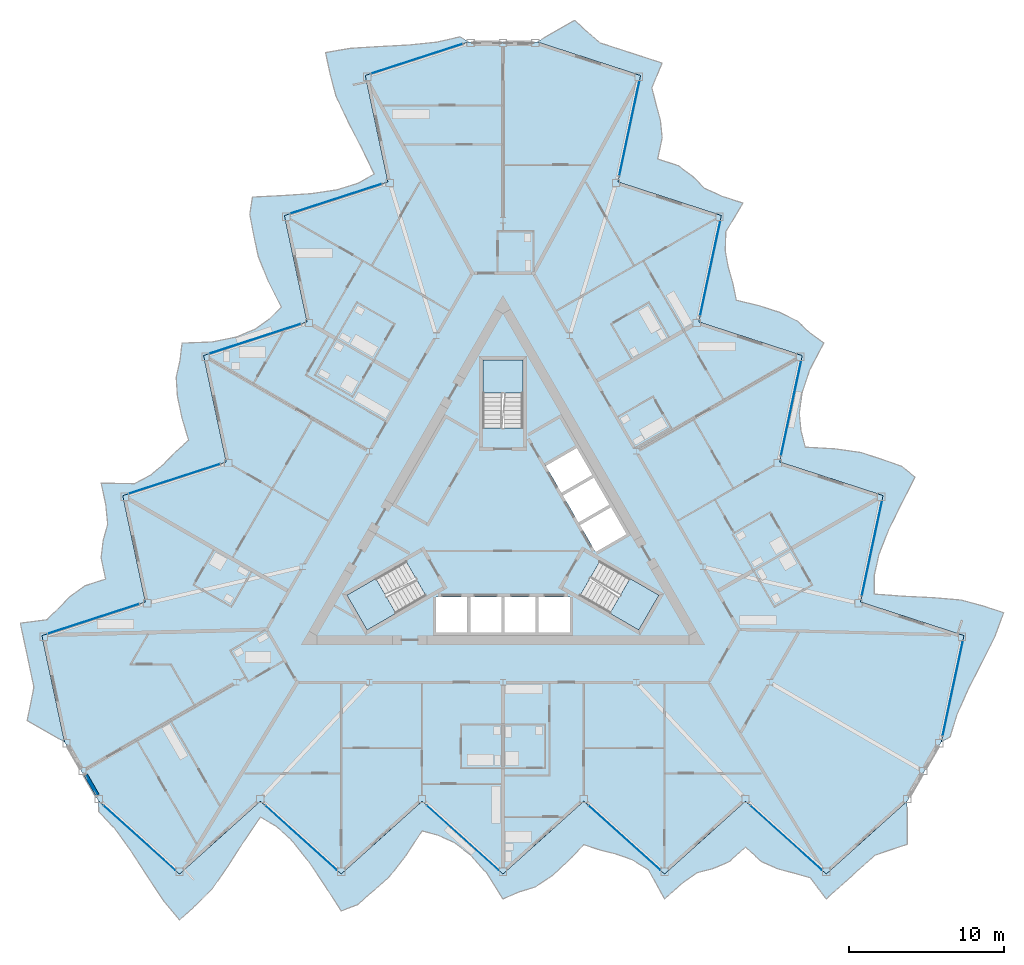
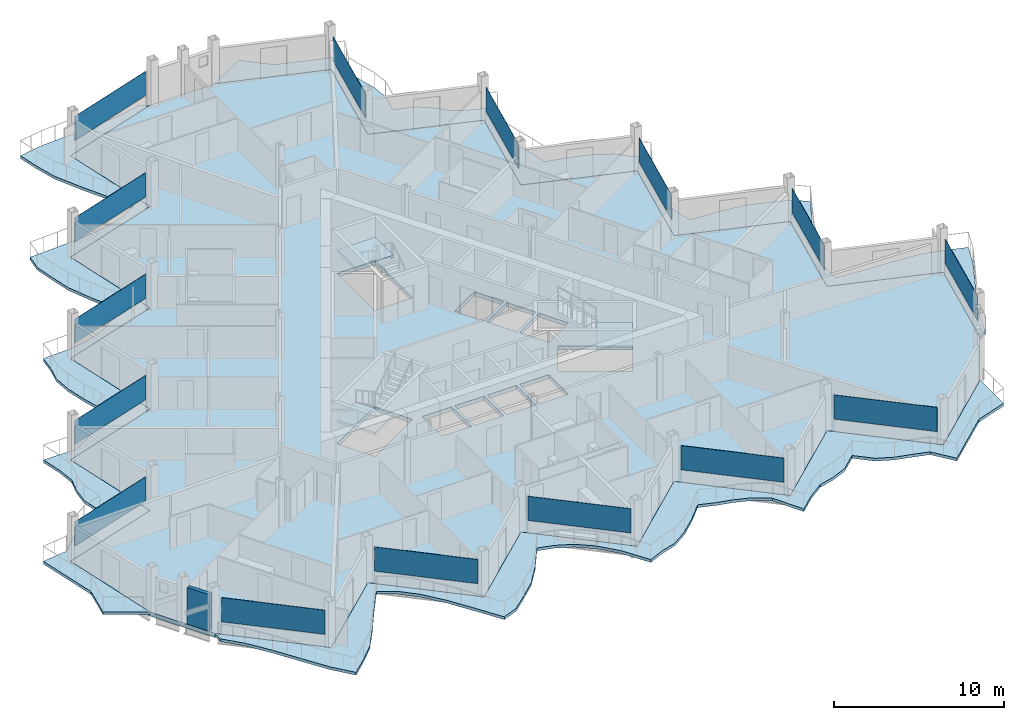
# One storey, part 11 of 26: 15 plates, 7 slabs, 1 wall, 18 elements without a shape of their own.
"""IFC4 building model written with IfcOpenShell, lengths in metres."""

from ifc_helpers import new_model, si_unit, direction, frame, frame_2d, origin, origin_2d, place, context, subcontext, project, spatial, polyline, rectangle, outline, extrude, material, layer, layer_set, type_object, element, aggregate, save


model = new_model("IFC4")

# Units and contexts
model_context = context("Model", 3, precision=1e-05, world=origin(), true_north=direction((0.0, 1.0)))
body_context = subcontext(model_context, "Body", "Model", "MODEL_VIEW")
ifc_project = project(units=[si_unit("LENGTHUNIT", "METRE"), si_unit("AREAUNIT", "SQUARE_METRE"), si_unit("VOLUMEUNIT", "CUBIC_METRE"), si_unit("PLANEANGLEUNIT", "RADIAN"), si_unit("MASSUNIT", "GRAM", prefix="KILO")], contexts=[model_context])

# Site, building, storey
site_placement = place(None, origin())
site = spatial("IfcSite", under=ifc_project, at=site_placement, CompositionType="ELEMENT")
building_placement = place(site_placement, origin())
building = spatial("IfcBuilding", under=site, at=building_placement, Name="Cormorant Prow Tower", CompositionType="ELEMENT")
storey_placement = place(building_placement, frame((0.0, 0.0, 398.39990234375)))
storey = spatial("IfcBuildingStorey", under=building, at=storey_placement, Name="L91", CompositionType="ELEMENT", Elevation=398.39990234375)

# Slabs
ifc_material_1 = material(Name="Concrete C40/50", Category="concrete")
ifc_layer_1 = layer(ifc_material_1, 0.199951171875)
ifc_layer_set_1 = layer_set([ifc_layer_1], Name="Concrete C40/50")
slab_type_1 = type_object("IfcSlabType", Name="Balcony slab 200", PredefinedType="FLOOR", material=ifc_layer_set_1)
slab_1_placement = place(storey_placement, frame((0.0, 0.0, -0.199951171875)))
element("IfcSlab", 1, at=slab_1_placement, inside=storey, type_object=slab_type_1, Name="Balcony slab S L91", PredefinedType="FLOOR", context=body_context, shape_type="SweptSolid", body=[
    extrude(outline(polyline([(-26.0, -17.548828125), (-26.0, -18.198974609375), (-24.9599609375, -19.3193359375), (-23.919921875, -20.753662109375), (-22.8798828125, -22.35546875), (-21.840087890625, -23.928466796875), (-20.800048828125, -25.180908203125), (-19.760009765625, -24.24462890625), (-18.719970703125, -23.2099609375), (-17.679931640625, -21.7099609375), (-16.639892578125, -20.095947265625), (-15.60009765625, -18.56689453125), (-14.56005859375, -19.170654296875), (-13.52001953125, -20.1318359375), (-12.47998046875, -21.443603515625), (-11.43994140625, -22.995361328125), (-10.39990234375, -24.605712890625), (-9.360107421875, -24.203369140625), (-8.320068359375, -23.30810546875), (-7.280029296875, -22.371826171875), (-6.239990234375, -21.042724609375), (-5.199951171875, -19.4541015625), (-4.159912109375, -19.737060546875), (-3.1201171875, -20.210693359375), (-2.080078125, -21.011474609375), (-1.0400390625, -22.179443359375), (0.0, -23.8310546875), (1.0400390625, -23.38330078125), (2.080078125, -23.064453125), (3.1201171875, -22.371826171875), (4.159912109375, -21.435302734375), (5.199951171875, -20.33837890625), (6.239990234375, -20.68505859375), (7.280029296875, -20.943603515625), (8.320068359375, -21.3134765625), (9.360107421875, -21.96142578125), (10.39990234375, -23.8310546875), (11.43994140625, -22.89453125), (12.47998046875, -22.150390625), (13.52001953125, -21.880126953125), (14.56005859375, -21.435302734375), (15.60009765625, -20.498779296875), (16.639892578125, -21.435302734375), (17.679931640625, -21.899169921875), (18.719970703125, -22.17138671875), (19.760009765625, -22.46923828125), (20.800048828125, -23.8310546875), (21.840087890625, -22.89453125), (22.8798828125, -21.958251953125), (23.919921875, -21.021728515625), (24.9599609375, -20.664306640625), (26.0, -20.3232421875), (26.0, -17.548828125), (24.9599609375, -18.4853515625), (23.919921875, -19.421630859375), (22.8798828125, -20.358154296875), (21.840087890625, -21.294677734375), (20.800048828125, -22.23095703125), (19.760009765625, -21.294677734375), (18.719970703125, -20.358154296875), (17.679931640625, -19.421630859375), (16.639892578125, -18.4853515625), (15.60009765625, -17.548828125), (14.56005859375, -18.4853515625), (13.52001953125, -19.421630859375), (12.47998046875, -20.358154296875), (11.43994140625, -21.294677734375), (10.39990234375, -22.23095703125), (9.360107421875, -21.294677734375), (8.320068359375, -20.358154296875), (7.280029296875, -19.421630859375), (6.239990234375, -18.4853515625), (5.199951171875, -17.548828125), (4.159912109375, -18.4853515625), (3.1201171875, -19.421630859375), (2.080078125, -20.358154296875), (1.0400390625, -21.294677734375), (0.0, -22.23095703125), (-1.0400390625, -21.294677734375), (-2.080078125, -20.358154296875), (-3.1201171875, -19.421630859375), (-4.159912109375, -18.4853515625), (-5.199951171875, -17.548828125), (-6.239990234375, -18.4853515625), (-7.280029296875, -19.421630859375), (-8.320068359375, -20.358154296875), (-9.360107421875, -21.294677734375), (-10.39990234375, -22.23095703125), (-11.43994140625, -21.294677734375), (-12.47998046875, -20.358154296875), (-13.52001953125, -19.421630859375), (-14.56005859375, -18.4853515625), (-15.60009765625, -17.548828125), (-16.639892578125, -18.4853515625), (-17.679931640625, -19.421630859375), (-18.719970703125, -20.358154296875), (-19.760009765625, -21.294677734375), (-20.800048828125, -22.23095703125), (-21.840087890625, -21.294677734375), (-22.8798828125, -20.358154296875), (-23.919921875, -19.421630859375), (-24.9599609375, -18.4853515625), (-26.0, -17.548828125)])), origin(), (0.0, 0.0, 1.0), 0.199951171875),
])
slab_2_placement = place(storey_placement, frame((0.0, 0.0, -0.199951171875)))
element("IfcSlab", 2, at=slab_2_placement, inside=storey, type_object=slab_type_1, Name="Balcony slab ENE L91", PredefinedType="FLOOR", context=body_context, shape_type="SweptSolid", body=[
    extrude(outline(polyline([(28.19775390625, -13.7421875), (28.7607421875, -13.417236328125), (29.211181640625, -11.956298828125), (29.933349609375, -10.33837890625), (30.80029296875, -8.636962890625), (31.642578125, -6.94970703125), (32.207275390625, -5.4228515625), (30.87646484375, -4.990478515625), (29.46044921875, -4.607177734375), (27.641357421875, -4.456298828125), (25.723388671875, -4.36279296875), (23.87939453125, -4.2265625), (23.882080078125, -3.024169921875), (24.19482421875, -1.642578125), (24.810791015625, -0.086181640625), (25.634521484375, 1.59033203125), (26.509033203125, 3.296142578125), (25.640625, 3.99560546875), (24.345458984375, 4.44873046875), (23.014404296875, 4.881103515625), (21.343505859375, 5.117431640625), (19.44775390625, 5.223876953125), (19.172607421875, 6.265869140625), (19.06298828125, 7.4033203125), (19.236572265625, 8.704345703125), (19.72802734375, 10.189208984375), (20.63818359375, 11.91552734375), (19.73046875, 12.59228515625), (18.934326171875, 13.33349609375), (17.814453125, 13.887939453125), (16.483642578125, 14.3203125), (15.013671875, 14.672607421875), (14.7939453125, 15.74658203125), (14.49755859375, 16.7763671875), (14.2978515625, 17.862060546875), (14.339111328125, 19.086669921875), (15.438232421875, 20.922119140625), (14.107177734375, 21.354736328125), (12.942626953125, 21.883056640625), (12.188720703125, 22.648681640625), (11.283447265625, 23.326904296875), (9.95263671875, 23.759521484375), (10.243408203125, 25.12841796875), (10.125244140625, 26.260986328125), (9.841064453125, 27.2978515625), (9.5791015625, 28.347412109375), (10.23828125, 29.9287109375), (8.9072265625, 30.361328125), (7.576416015625, 30.793701171875), (6.245361328125, 31.22607421875), (5.416015625, 31.9482421875), (4.6005859375, 32.67822265625), (2.19775390625, 31.291015625), (3.52880859375, 30.858642578125), (4.859619140625, 30.42626953125), (6.190673828125, 29.99365234375), (7.521728515625, 29.561279296875), (8.8525390625, 29.12890625), (8.5615234375, 27.760009765625), (8.270751953125, 26.39111328125), (7.979736328125, 25.022216796875), (7.688720703125, 23.6533203125), (7.397705078125, 22.284423828125), (8.728759765625, 21.85205078125), (10.059814453125, 21.41943359375), (11.390625, 20.987060546875), (12.7216796875, 20.5546875), (14.052490234375, 20.1220703125), (13.76171875, 18.753173828125), (13.470703125, 17.384521484375), (13.1796875, 16.015625), (12.888671875, 14.646728515625), (12.597900390625, 13.27783203125), (13.9287109375, 12.84521484375), (15.259765625, 12.412841796875), (16.590576171875, 11.98046875), (17.921630859375, 11.5478515625), (19.252685546875, 11.115478515625), (18.961669921875, 9.74658203125), (18.670654296875, 8.377685546875), (18.379638671875, 7.0087890625), (18.0888671875, 5.639892578125), (17.7978515625, 4.27099609375), (19.128662109375, 3.838623046875), (20.459716796875, 3.40625), (21.790771484375, 2.9736328125), (23.12158203125, 2.541259765625), (24.45263671875, 2.10888671875), (24.16162109375, 0.739990234375), (23.87060546875, -0.62890625), (23.579833984375, -1.997802734375), (23.288818359375, -3.36669921875), (22.997802734375, -4.735595703125), (24.328857421875, -5.16796875), (25.65966796875, -5.600341796875), (26.99072265625, -6.032958984375), (28.321533203125, -6.46533203125), (29.652587890625, -6.89794921875), (29.361572265625, -8.2666015625), (29.070556640625, -9.635498046875), (28.77978515625, -11.00439453125), (28.48876953125, -12.373291015625), (28.19775390625, -13.7421875)])), origin(), (0.0, 0.0, 1.0), 0.199951171875),
])
slab_3_placement = place(storey_placement, frame((0.0, 0.0, -0.199951171875)))
element("IfcSlab", 3, at=slab_3_placement, inside=storey, type_object=slab_type_1, Name="Balcony slab WNW L91", PredefinedType="FLOOR", context=body_context, shape_type="SweptSolid", body=[
    extrude(outline(polyline([(-2.19775390625, 31.291015625), (-2.7607421875, 31.6162109375), (-4.2509765625, 31.275634765625), (-6.01318359375, 31.09228515625), (-7.92041015625, 30.992431640625), (-9.802734375, 30.878173828125), (-11.407470703125, 30.603759765625), (-11.116455078125, 29.23486328125), (-10.740234375, 27.81689453125), (-9.96142578125, 26.166259765625), (-9.08349609375, 24.45849609375), (-8.279296875, 22.79345703125), (-9.322265625, 22.194580078125), (-10.6748046875, 21.774658203125), (-12.330810546875, 21.52978515625), (-14.194580078125, 21.405029296875), (-16.109130859375, 21.3095703125), (-16.28076171875, 20.207763671875), (-16.025390625, 18.859375), (-15.734375, 17.490478515625), (-15.103515625, 15.92529296875), (-14.247802734375, 14.23046875), (-15.0126953125, 13.47119140625), (-15.94287109375, 12.807373046875), (-17.156494140625, 12.30712890625), (-18.68798828125, 11.990478515625), (-20.63818359375, 11.91552734375), (-20.7705078125, 10.791015625), (-21.014404296875, 9.73095703125), (-20.9345703125, 8.48388671875), (-20.6435546875, 7.114990234375), (-20.213623046875, 5.665771484375), (-21.033935546875, 4.9384765625), (-21.777587890625, 4.167236328125), (-22.617919921875, 3.451416015625), (-23.69921875, 2.874755859375), (-25.838134765625, 2.908935546875), (-25.54736328125, 1.5400390625), (-25.422607421875, 0.26708984375), (-25.708740234375, -0.7685546875), (-25.843505859375, -1.8916015625), (-25.552490234375, -3.260498046875), (-26.883544921875, -3.693115234375), (-27.80517578125, -4.36181640625), (-28.56103515625, -5.126220703125), (-29.339111328125, -5.8779296875), (-31.038330078125, -6.097900390625), (-30.747314453125, -7.466796875), (-30.456298828125, -8.835693359375), (-30.165283203125, -10.204345703125), (-30.3759765625, -11.28369140625), (-30.6005859375, -12.35498046875), (-28.19775390625, -13.7421875), (-28.48876953125, -12.373291015625), (-28.77978515625, -11.00439453125), (-29.070556640625, -9.635498046875), (-29.361572265625, -8.2666015625), (-29.652587890625, -6.89794921875), (-28.321533203125, -6.46533203125), (-26.99072265625, -6.032958984375), (-25.65966796875, -5.600341796875), (-24.328857421875, -5.16796875), (-22.997802734375, -4.735595703125), (-23.288818359375, -3.36669921875), (-23.579833984375, -1.997802734375), (-23.87060546875, -0.62890625), (-24.16162109375, 0.739990234375), (-24.45263671875, 2.10888671875), (-23.12158203125, 2.541259765625), (-21.790771484375, 2.9736328125), (-20.459716796875, 3.40625), (-19.128662109375, 3.838623046875), (-17.7978515625, 4.27099609375), (-18.0888671875, 5.639892578125), (-18.379638671875, 7.0087890625), (-18.670654296875, 8.377685546875), (-18.961669921875, 9.74658203125), (-19.252685546875, 11.115478515625), (-17.921630859375, 11.5478515625), (-16.590576171875, 11.98046875), (-15.259765625, 12.412841796875), (-13.9287109375, 12.84521484375), (-12.597900390625, 13.27783203125), (-12.888671875, 14.646728515625), (-13.1796875, 16.015625), (-13.470703125, 17.384521484375), (-13.76171875, 18.753173828125), (-14.052490234375, 20.1220703125), (-12.7216796875, 20.5546875), (-11.390625, 20.987060546875), (-10.059814453125, 21.41943359375), (-8.728759765625, 21.85205078125), (-7.397705078125, 22.284423828125), (-7.688720703125, 23.6533203125), (-7.979736328125, 25.022216796875), (-8.270751953125, 26.39111328125), (-8.5615234375, 27.760009765625), (-8.8525390625, 29.12890625), (-7.521728515625, 29.561279296875), (-6.190673828125, 29.99365234375), (-4.859619140625, 30.42626953125), (-3.52880859375, 30.858642578125), (-2.19775390625, 31.291015625)])), origin(), (0.0, 0.0, 1.0), 0.199951171875),
])
ifc_material_2 = material(Name="Concrete C40/50", Category="concrete")
ifc_layer_2 = layer(ifc_material_2, 0.300048828125)
ifc_layer_set_2 = layer_set([ifc_layer_2], Name="Concrete C40/50")
slab_type_2 = type_object("IfcSlabType", Name="Post-tensioned flat slab 300", PredefinedType="FLOOR", material=ifc_layer_set_2)
slab_4_placement = place(storey_placement, frame((0.0, 0.0, -0.2998046875)))
element("IfcSlab", 4, at=slab_4_placement, inside=storey, type_object=slab_type_2, Name="Floor slab L91", PredefinedType="FLOOR", context=body_context, shape_type="SweptSolid", body=[
    extrude(outline(polyline([(-7.397705078125, 22.284423828125), (-14.052490234375, 20.1220703125), (-12.597900390625, 13.27783203125), (-19.252685546875, 11.115478515625), (-17.7978515625, 4.27099609375), (-24.45263671875, 2.10888671875), (-22.997802734375, -4.735595703125), (-29.652587890625, -6.89794921875), (-28.19775390625, -13.7421875), (-27.098876953125, -15.6455078125), (-26.0, -17.548828125), (-20.800048828125, -22.23095703125), (-15.60009765625, -17.548828125), (-10.39990234375, -22.23095703125), (-5.199951171875, -17.548828125), (0.0, -22.23095703125), (5.199951171875, -17.548828125), (10.39990234375, -22.23095703125), (15.60009765625, -17.548828125), (20.800048828125, -22.23095703125), (26.0, -17.548828125), (27.098876953125, -15.6455078125), (28.19775390625, -13.7421875), (29.652587890625, -6.89794921875), (22.997802734375, -4.735595703125), (24.45263671875, 2.10888671875), (17.7978515625, 4.27099609375), (19.252685546875, 11.115478515625), (12.597900390625, 13.27783203125), (14.052490234375, 20.1220703125), (7.397705078125, 22.284423828125), (8.8525390625, 29.12890625), (2.19775390625, 31.291015625), (0.0, 31.291015625), (-2.19775390625, 31.291015625), (-8.8525390625, 29.12890625), (-7.397705078125, 22.284423828125)]), holes=[polyline([(-4.300048828125, -4.39990234375), (-2.300048828125, -4.39990234375), (-2.300048828125, -6.699951171875), (-4.300048828125, -6.699951171875), (-4.300048828125, -4.39990234375)]), polyline([(-0.10009765625, -4.39990234375), (-0.10009765625, -6.699951171875), (-2.10009765625, -6.699951171875), (-2.10009765625, -4.39990234375), (-0.10009765625, -4.39990234375)]), polyline([(2.10009765625, -6.699951171875), (0.10009765625, -6.699951171875), (0.10009765625, -4.39990234375), (2.10009765625, -4.39990234375), (2.10009765625, -6.699951171875)]), polyline([(2.300048828125, -6.699951171875), (2.300048828125, -4.39990234375), (4.300048828125, -4.39990234375), (4.300048828125, -6.699951171875), (2.300048828125, -6.699951171875)]), polyline([(5.96044921875, -1.52392578125), (4.96044921875, 0.2080078125), (6.952392578125, 1.358154296875), (7.952392578125, -0.373779296875), (5.96044921875, -1.52392578125)]), polyline([(3.860595703125, 2.11328125), (5.852294921875, 3.263427734375), (6.852294921875, 1.53125), (4.860595703125, 0.38134765625), (3.860595703125, 2.11328125)]), polyline([(4.75244140625, 5.168701171875), (5.75244140625, 3.4365234375), (3.760498046875, 2.28662109375), (2.760498046875, 4.018798828125), (4.75244140625, 5.168701171875)]), polyline([(-4.947509765625, -4.3505859375), (-8.738037109375, -6.5390625), (-10.031982421875, -4.2978515625), (-6.241455078125, -2.109375), (-4.947509765625, -4.3505859375)]), polyline([(10.031982421875, -4.2978515625), (8.738037109375, -6.5390625), (4.947509765625, -4.3505859375), (6.241455078125, -2.109375), (10.031982421875, -4.2978515625)]), polyline([(1.2939453125, 10.8369140625), (1.2939453125, 6.459716796875), (-1.2939453125, 6.459716796875), (-1.2939453125, 10.8369140625), (1.2939453125, 10.8369140625)])]), origin(), (0.0, 0.0, 1.0), 0.2998046875),
])

# Curtain wall, plate
ifc_material_3 = material(Name="Aluminium 6063-T6", Category="aluminium")
ifc_layer_3 = layer(ifc_material_3, 0.159912109375)
ifc_layer_set_3 = layer_set([ifc_layer_3], Name="Aluminium 6063-T6")
curtain_wall_type = type_object("IfcCurtainWallType", Name="Residential unitised curtain wall 160", PredefinedType="NOTDEFINED", material=ifc_layer_set_3)
curtain_wall_1_placement = place(storey_placement, origin())
curtain_wall_1 = element("IfcCurtainWall", 5, at=curtain_wall_1_placement, inside=storey, type_object=curtain_wall_type, Name="Residential curtain wall S00", PredefinedType="NOTDEFINED")
ifc_material_4 = material(Name="Clear glass", Category="glass")
ifc_layer_4 = layer(ifc_material_4, 0.02392578125)
ifc_layer_set_4 = layer_set([ifc_layer_4], Name="Clear glass")
plate_type = type_object("IfcPlateType", Name="Residential glass panel 24", PredefinedType="CURTAIN_PANEL", material=ifc_layer_set_4)
plate_1_placement = place(storey_placement, frame((-23.38134765625, -19.90673828125, 0.900146484375), z_axis=(0.0, 0.0, 1.0), x_axis=(0.743144827638, -0.669130603959, 0.0)))
plate_1 = element("IfcPlate", 6, at=plate_1_placement, type_object=plate_type, Name="Residential glass panel S00", PredefinedType="CURTAIN_PANEL", context=body_context, shape_type="SweptSolid", body=[
    extrude(rectangle(XDim=6.21533203125, YDim=0.02392578125, at=origin_2d()), origin(), (0.0, 0.0, 1.0), 1.73388671875),
])
aggregate(curtain_wall_1, [plate_1])

curtain_wall_2_placement = place(storey_placement, origin())
curtain_wall_2 = element("IfcCurtainWall", 7, at=curtain_wall_2_placement, inside=storey, type_object=curtain_wall_type, Name="Residential curtain wall S02", PredefinedType="NOTDEFINED")
plate_2_placement = place(storey_placement, frame((-12.9814453125, -19.90673828125, 0.900146484375), z_axis=(0.0, 0.0, 1.0), x_axis=(0.743144827638, -0.669130603959, 0.0)))
plate_2 = element("IfcPlate", 8, at=plate_2_placement, type_object=plate_type, Name="Residential glass panel S02", PredefinedType="CURTAIN_PANEL", context=body_context, shape_type="SweptSolid", body=[
    extrude(rectangle(XDim=6.21533203125, YDim=0.02392578125, at=origin_2d()), origin(), (0.0, 0.0, 1.0), 1.73388671875),
])
aggregate(curtain_wall_2, [plate_2])

curtain_wall_3_placement = place(storey_placement, origin())
curtain_wall_3 = element("IfcCurtainWall", 9, at=curtain_wall_3_placement, inside=storey, type_object=curtain_wall_type, Name="Residential curtain wall S04", PredefinedType="NOTDEFINED")
plate_3_placement = place(storey_placement, frame((-2.58154296875, -19.90673828125, 0.900146484375), z_axis=(0.0, 0.0, 1.0), x_axis=(0.743144827638, -0.669130603959, 0.0)))
plate_3 = element("IfcPlate", 10, at=plate_3_placement, type_object=plate_type, Name="Residential glass panel S04", PredefinedType="CURTAIN_PANEL", context=body_context, shape_type="SweptSolid", body=[
    extrude(rectangle(XDim=6.21533203125, YDim=0.02392578125, at=origin_2d()), origin(), (0.0, 0.0, 1.0), 1.73388671875),
])
aggregate(curtain_wall_3, [plate_3])

curtain_wall_4_placement = place(storey_placement, origin())
curtain_wall_4 = element("IfcCurtainWall", 11, at=curtain_wall_4_placement, inside=storey, type_object=curtain_wall_type, Name="Residential curtain wall S06", PredefinedType="NOTDEFINED")
plate_4_placement = place(storey_placement, frame((7.818603515625, -19.90673828125, 0.900146484375), z_axis=(0.0, 0.0, 1.0), x_axis=(0.743144827638, -0.669130603959, 0.0)))
plate_4 = element("IfcPlate", 12, at=plate_4_placement, type_object=plate_type, Name="Residential glass panel S06", PredefinedType="CURTAIN_PANEL", context=body_context, shape_type="SweptSolid", body=[
    extrude(rectangle(XDim=6.21533203125, YDim=0.02392578125, at=origin_2d()), origin(), (0.0, 0.0, 1.0), 1.73388671875),
])
aggregate(curtain_wall_4, [plate_4])

curtain_wall_5_placement = place(storey_placement, origin())
curtain_wall_5 = element("IfcCurtainWall", 13, at=curtain_wall_5_placement, inside=storey, type_object=curtain_wall_type, Name="Residential curtain wall S08", PredefinedType="NOTDEFINED")
plate_5_placement = place(storey_placement, frame((18.218505859375, -19.90673828125, 0.900146484375), z_axis=(0.0, 0.0, 1.0), x_axis=(0.743144827638, -0.669130603959, 0.0)))
plate_5 = element("IfcPlate", 14, at=plate_5_placement, type_object=plate_type, Name="Residential glass panel S08", PredefinedType="CURTAIN_PANEL", context=body_context, shape_type="SweptSolid", body=[
    extrude(rectangle(XDim=6.21533203125, YDim=0.02392578125, at=origin_2d()), origin(), (0.0, 0.0, 1.0), 1.73388671875),
])
aggregate(curtain_wall_5, [plate_5])

curtain_wall_6_placement = place(storey_placement, origin())
curtain_wall_6 = element("IfcCurtainWall", 15, at=curtain_wall_6_placement, inside=storey, type_object=curtain_wall_type, Name="Residential curtain wall ENE00", PredefinedType="NOTDEFINED")
plate_6_placement = place(storey_placement, frame((28.930419921875, -10.295654296875, 0.900146484375), z_axis=(0.0, 0.0, 1.0), x_axis=(0.207911620089, 0.978147615768, 0.0)))
plate_6 = element("IfcPlate", 16, at=plate_6_placement, type_object=plate_type, Name="Residential glass panel ENE00", PredefinedType="CURTAIN_PANEL", context=body_context, shape_type="SweptSolid", body=[
    extrude(rectangle(XDim=6.21533203125, YDim=0.02392578125, at=origin_2d()), origin(), (0.0, 0.0, 1.0), 1.73388671875),
])
aggregate(curtain_wall_6, [plate_6])

curtain_wall_7_placement = place(storey_placement, origin())
curtain_wall_7 = element("IfcCurtainWall", 17, at=curtain_wall_7_placement, inside=storey, type_object=curtain_wall_type, Name="Residential curtain wall ENE02", PredefinedType="NOTDEFINED")
plate_7_placement = place(storey_placement, frame((23.73046875, -1.288818359375, 0.900146484375), z_axis=(0.0, 0.0, 1.0), x_axis=(0.207911649162, 0.978147609588, 0.0)))
plate_7 = element("IfcPlate", 18, at=plate_7_placement, type_object=plate_type, Name="Residential glass panel ENE02", PredefinedType="CURTAIN_PANEL", context=body_context, shape_type="SweptSolid", body=[
    extrude(rectangle(XDim=6.21533203125, YDim=0.02392578125, at=origin_2d()), origin(), (0.0, 0.0, 1.0), 1.73388671875),
])
aggregate(curtain_wall_7, [plate_7])

curtain_wall_8_placement = place(storey_placement, origin())
curtain_wall_8 = element("IfcCurtainWall", 19, at=curtain_wall_8_placement, inside=storey, type_object=curtain_wall_type, Name="Residential curtain wall ENE04", PredefinedType="NOTDEFINED")
plate_8_placement = place(storey_placement, frame((18.5302734375, 7.7177734375, 0.900146484375), z_axis=(0.0, 0.0, 1.0), x_axis=(0.207911649162, 0.978147609588, 0.0)))
plate_8 = element("IfcPlate", 20, at=plate_8_placement, type_object=plate_type, Name="Residential glass panel ENE04", PredefinedType="CURTAIN_PANEL", context=body_context, shape_type="SweptSolid", body=[
    extrude(rectangle(XDim=6.21533203125, YDim=0.02392578125, at=origin_2d()), origin(), (0.0, 0.0, 1.0), 1.73388671875),
])
aggregate(curtain_wall_8, [plate_8])

curtain_wall_9_placement = place(storey_placement, origin())
curtain_wall_9 = element("IfcCurtainWall", 21, at=curtain_wall_9_placement, inside=storey, type_object=curtain_wall_type, Name="Residential curtain wall ENE06", PredefinedType="NOTDEFINED")
plate_9_placement = place(storey_placement, frame((13.330322265625, 16.724365234375, 0.900146484375), z_axis=(0.0, 0.0, 1.0), x_axis=(0.207911620089, 0.978147615768, 0.0)))
plate_9 = element("IfcPlate", 22, at=plate_9_placement, type_object=plate_type, Name="Residential glass panel ENE06", PredefinedType="CURTAIN_PANEL", context=body_context, shape_type="SweptSolid", body=[
    extrude(rectangle(XDim=6.21533203125, YDim=0.02392578125, at=origin_2d()), origin(), (0.0, 0.0, 1.0), 1.73388671875),
])
aggregate(curtain_wall_9, [plate_9])

curtain_wall_10_placement = place(storey_placement, origin())
curtain_wall_10 = element("IfcCurtainWall", 23, at=curtain_wall_10_placement, inside=storey, type_object=curtain_wall_type, Name="Residential curtain wall ENE08", PredefinedType="NOTDEFINED")
plate_10_placement = place(storey_placement, frame((8.13037109375, 25.731201171875, 0.900146484375), z_axis=(0.0, 0.0, 1.0), x_axis=(0.207911620089, 0.978147615768, 0.0)))
plate_10 = element("IfcPlate", 24, at=plate_10_placement, type_object=plate_type, Name="Residential glass panel ENE08", PredefinedType="CURTAIN_PANEL", context=body_context, shape_type="SweptSolid", body=[
    extrude(rectangle(XDim=6.21533203125, YDim=0.02392578125, at=origin_2d()), origin(), (0.0, 0.0, 1.0), 1.73388671875),
])
aggregate(curtain_wall_10, [plate_10])

curtain_wall_11_placement = place(storey_placement, origin())
curtain_wall_11 = element("IfcCurtainWall", 25, at=curtain_wall_11_placement, inside=storey, type_object=curtain_wall_type, Name="Residential curtain wall WNW00", PredefinedType="NOTDEFINED")
plate_11_placement = place(storey_placement, frame((-5.549072265625, 30.2021484375, 0.900146484375), z_axis=(0.0, 0.0, 1.0), x_axis=(-0.951056534902, -0.309016937108, 0.0)))
plate_11 = element("IfcPlate", 26, at=plate_11_placement, type_object=plate_type, Name="Residential glass panel WNW00", PredefinedType="CURTAIN_PANEL", context=body_context, shape_type="SweptSolid", body=[
    extrude(rectangle(XDim=6.21533203125, YDim=0.02392578125, at=origin_2d()), origin(), (0.0, 0.0, 1.0), 1.73388671875),
])
aggregate(curtain_wall_11, [plate_11])

curtain_wall_12_placement = place(storey_placement, origin())
curtain_wall_12 = element("IfcCurtainWall", 27, at=curtain_wall_12_placement, inside=storey, type_object=curtain_wall_type, Name="Residential curtain wall WNW02", PredefinedType="NOTDEFINED")
plate_12_placement = place(storey_placement, frame((-10.7490234375, 21.195556640625, 0.900146484375), z_axis=(0.0, 0.0, 1.0), x_axis=(-0.951056534902, -0.309016937108, 0.0)))
plate_12 = element("IfcPlate", 28, at=plate_12_placement, type_object=plate_type, Name="Residential glass panel WNW02", PredefinedType="CURTAIN_PANEL", context=body_context, shape_type="SweptSolid", body=[
    extrude(rectangle(XDim=6.21533203125, YDim=0.02392578125, at=origin_2d()), origin(), (0.0, 0.0, 1.0), 1.73388671875),
])
aggregate(curtain_wall_12, [plate_12])

curtain_wall_13_placement = place(storey_placement, origin())
curtain_wall_13 = element("IfcCurtainWall", 29, at=curtain_wall_13_placement, inside=storey, type_object=curtain_wall_type, Name="Residential curtain wall WNW04", PredefinedType="NOTDEFINED")
plate_13_placement = place(storey_placement, frame((-15.948974609375, 12.18896484375, 0.900146484375), z_axis=(0.0, 0.0, 1.0), x_axis=(-0.951056492904, -0.309017066365, 0.0)))
plate_13 = element("IfcPlate", 30, at=plate_13_placement, type_object=plate_type, Name="Residential glass panel WNW04", PredefinedType="CURTAIN_PANEL", context=body_context, shape_type="SweptSolid", body=[
    extrude(rectangle(XDim=6.21533203125, YDim=0.02392578125, at=origin_2d()), origin(), (0.0, 0.0, 1.0), 1.73388671875),
])
aggregate(curtain_wall_13, [plate_13])

curtain_wall_14_placement = place(storey_placement, origin())
curtain_wall_14 = element("IfcCurtainWall", 31, at=curtain_wall_14_placement, inside=storey, type_object=curtain_wall_type, Name="Residential curtain wall WNW06", PredefinedType="NOTDEFINED")
plate_14_placement = place(storey_placement, frame((-21.14892578125, 3.18212890625, 0.900146484375), z_axis=(0.0, 0.0, 1.0), x_axis=(-0.951056492904, -0.309017066365, 0.0)))
plate_14 = element("IfcPlate", 32, at=plate_14_placement, type_object=plate_type, Name="Residential glass panel WNW06", PredefinedType="CURTAIN_PANEL", context=body_context, shape_type="SweptSolid", body=[
    extrude(rectangle(XDim=6.21533203125, YDim=0.02392578125, at=origin_2d()), origin(), (0.0, 0.0, 1.0), 1.73388671875),
])
aggregate(curtain_wall_14, [plate_14])

curtain_wall_15_placement = place(storey_placement, origin())
curtain_wall_15 = element("IfcCurtainWall", 33, at=curtain_wall_15_placement, inside=storey, type_object=curtain_wall_type, Name="Residential curtain wall WNW08", PredefinedType="NOTDEFINED")
plate_15_placement = place(storey_placement, frame((-26.348876953125, -5.824462890625, 0.900146484375), z_axis=(0.0, 0.0, 1.0), x_axis=(-0.951056492904, -0.309017066365, 0.0)))
plate_15 = element("IfcPlate", 34, at=plate_15_placement, type_object=plate_type, Name="Residential glass panel WNW08", PredefinedType="CURTAIN_PANEL", context=body_context, shape_type="SweptSolid", body=[
    extrude(rectangle(XDim=6.21533203125, YDim=0.02392578125, at=origin_2d()), origin(), (0.0, 0.0, 1.0), 1.73388671875),
])
aggregate(curtain_wall_15, [plate_15])

# Stair, slab
ifc_material_5 = material(Name="Exit stair 18 risers")
stair_type = type_object("IfcStairType", Name="Exit stair 18 risers", PredefinedType="HALF_TURN_STAIR", material=ifc_material_5)
stair_1_placement = place(storey_placement, origin())
stair_1 = element("IfcStair", 35, at=stair_1_placement, inside=storey, type_object=stair_type, Name="L91 Exit stair ST1", PredefinedType="HALF_TURN_STAIR")
ifc_material_6 = material(Name="Concrete 5000 psi", Category="concrete")
ifc_layer_5 = layer(ifc_material_6, 0.199951171875)
ifc_layer_set_5 = layer_set([ifc_layer_5], Name="Concrete 5000 psi")
slab_type_3 = type_object("IfcSlabType", Name="Stair landing 200", PredefinedType="LANDING", material=ifc_layer_set_5)
slab_5_placement = place(storey_placement, frame((0.0, 0.0, 1.5)))
slab_5 = element("IfcSlab", 36, at=slab_5_placement, type_object=slab_type_3, Name="ST1 landing 1", PredefinedType="LANDING", context=body_context, shape_type="SweptSolid", body=[
    extrude(outline(polyline([(-8.17431640625, -3.225341796875), (-10.031982421875, -4.2978515625), (-8.738037109375, -6.5390625), (-6.88037109375, -5.466552734375), (-8.17431640625, -3.225341796875)])), origin(), (0.0, 0.0, 1.0), 0.2001953125),
])
aggregate(stair_1, [slab_5])

stair_2_placement = place(storey_placement, origin())
stair_2 = element("IfcStair", 37, at=stair_2_placement, inside=storey, type_object=stair_type, Name="L91 Exit stair ST2", PredefinedType="HALF_TURN_STAIR")
slab_6_placement = place(storey_placement, frame((0.0, 0.0, 1.5)))
slab_6 = element("IfcSlab", 38, at=slab_6_placement, type_object=slab_type_3, Name="ST2 landing 1", PredefinedType="LANDING", context=body_context, shape_type="SweptSolid", body=[
    extrude(outline(polyline([(6.88037109375, -5.466552734375), (8.738037109375, -6.5390625), (10.031982421875, -4.2978515625), (8.17431640625, -3.225341796875), (6.88037109375, -5.466552734375)])), origin(), (0.0, 0.0, 1.0), 0.2001953125),
])
aggregate(stair_2, [slab_6])

stair_3_placement = place(storey_placement, origin())
stair_3 = element("IfcStair", 39, at=stair_3_placement, inside=storey, type_object=stair_type, Name="L91 Exit stair ST3", PredefinedType="HALF_TURN_STAIR")
slab_7_placement = place(storey_placement, frame((0.0, 0.0, 1.5)))
slab_7 = element("IfcSlab", 40, at=slab_7_placement, type_object=slab_type_3, Name="ST3 landing 1", PredefinedType="LANDING", context=body_context, shape_type="SweptSolid", body=[
    extrude(outline(polyline([(1.2939453125, 8.69189453125), (1.2939453125, 10.8369140625), (-1.2939453125, 10.8369140625), (-1.2939453125, 8.69189453125), (1.2939453125, 8.69189453125)])), origin(), (0.0, 0.0, 1.0), 0.2001953125),
])
aggregate(stair_3, [slab_7])

# Wall
ifc_material_7 = material(Name="Terracotta", Category="masonry")
ifc_layer_6 = layer(ifc_material_7, 0.25)
ifc_layer_set_6 = layer_set([ifc_layer_6], Name="Terracotta")
wall_type = type_object("IfcWallType", Name="Terracotta bay wall 250", PredefinedType="SOLIDWALL", material=ifc_layer_set_6)
wall_placement = place(storey_placement, frame((-26.830322265625, -15.86083984375, 0.0), z_axis=(0.0, 0.0, 1.0), x_axis=(0.500048779063, -0.865997239347, 0.0)))
element("IfcWall", 41, at=wall_placement, inside=storey, type_object=wall_type, Name="Terracotta bay wall WSW01", PredefinedType="SOLIDWALL", context=body_context, shape_type="SweptSolid", body=[
    extrude(rectangle(XDim=1.510986328125, YDim=0.25, at=frame_2d((0.75537109375, 0.0))), origin(), (0.0, 0.0, 1.0), 2.634033203125),
])

save(model, "model.ifc")
